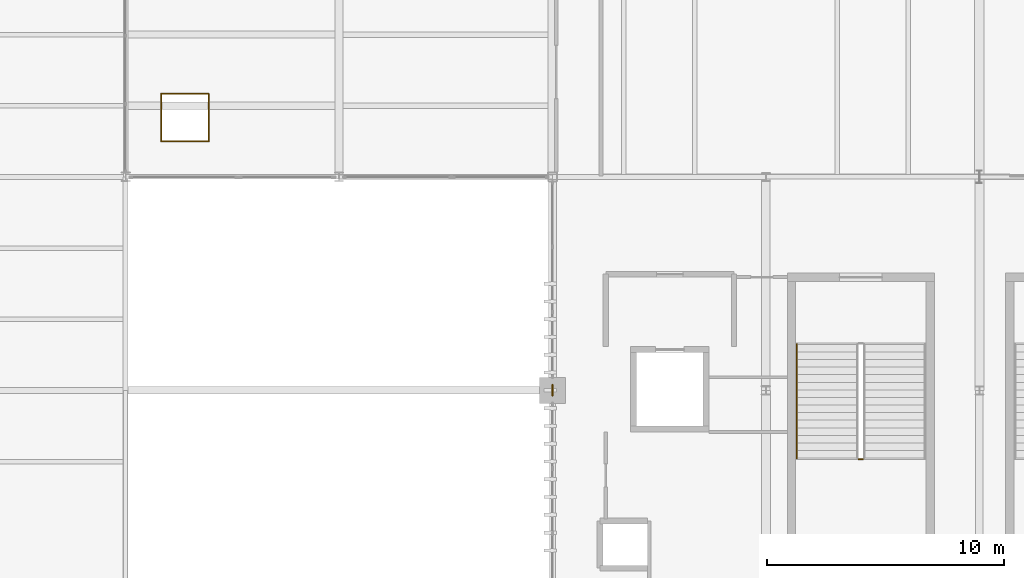
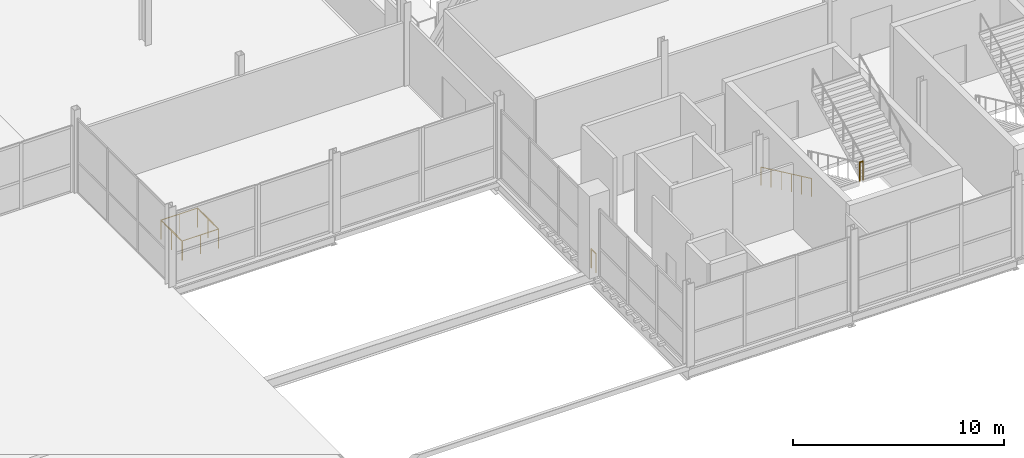
# One storey, part 217 of 224: 7 railings.
"""IFC4 building model written with IfcOpenShell, lengths in metres."""

from ifc_helpers import new_model, si_unit, direction, frame, origin, origin_2d, place, context, subcontext, project, spatial, circle, extrude, material, type_object, element, save


model = new_model("IFC4")

# Units and contexts
model_context = context("Model", 3, precision=1e-05, world=origin(), true_north=direction((0.0, 1.0)))
body_context = subcontext(model_context, "Body", "Model", "MODEL_VIEW")
ifc_project = project(units=[si_unit("LENGTHUNIT", "METRE"), si_unit("AREAUNIT", "SQUARE_METRE"), si_unit("VOLUMEUNIT", "CUBIC_METRE"), si_unit("PLANEANGLEUNIT", "RADIAN"), si_unit("MASSUNIT", "GRAM", prefix="KILO")], contexts=[model_context])

# Site, building, storey
site_placement = place(None, origin())
site = spatial("IfcSite", under=ifc_project, at=site_placement, CompositionType="ELEMENT")
building_placement = place(site_placement, origin())
building = spatial("IfcBuilding", under=site, at=building_placement, Name="Qamarlyn Nura Convention Centre", CompositionType="ELEMENT")
storey_placement = place(building_placement, frame((0.0, 0.0, 10.800048828125)))
storey = spatial("IfcBuildingStorey", under=building, at=storey_placement, Name="L02", CompositionType="ELEMENT", Elevation=10.800048828125)

# Railings
ifc_material = material(Name="Marine Grade 316 stainless steel", Category="steel")
railing_type_1 = type_object("IfcRailingType", Name="GRD-STAIR-112", PredefinedType="BALUSTRADE", material=ifc_material)
railing_1_placement = place(storey_placement, frame((165.909912109375, 6.090087890625, 2.39990234375)))
element("IfcRailing", 1, at=railing_1_placement, inside=storey, type_object=railing_type_1, Name="L02 ST-09 stair guard 2", PredefinedType="BALUSTRADE", context=body_context, shape_type="SweptSolid", body=[
    extrude(circle(Radius=0.02392578125, at=origin_2d()), frame((0.0, 0.0, 1.09619140625), z_axis=(1.0, 0.0, 0.0), x_axis=(0.0, 1.0, 0.0)), (0.0, 0.0, 1.0), 0.18017578125),
    extrude(circle(Radius=0.02099609375, at=origin_2d()), origin(), (0.0, 0.0, 1.0), 1.070068359375),
    extrude(circle(Radius=0.02099609375, at=origin_2d()), frame((0.18017578125, 0.0, 0.0)), (0.0, 0.0, 1.0), 1.070068359375),
])
railing_type_2 = type_object("IfcRailingType", Name="GRD-VOID-112", PredefinedType="BALUSTRADE", material=ifc_material)
railing_2_placement = place(storey_placement, frame((153.0, 8.77001953125, 0.0)))
element("IfcRailing", 2, at=railing_2_placement, inside=storey, type_object=railing_type_2, Name="L02 slab edge balustrade guard 054", PredefinedType="BALUSTRADE", context=body_context, shape_type="SweptSolid", body=[
    extrude(circle(Radius=0.02392578125, at=origin_2d()), frame((0.0, 0.0, 1.09619140625), z_axis=(0.0, 1.0, 0.0), x_axis=(-1.0, 0.0, 0.0)), (0.0, 0.0, 1.0), 0.4599609375),
    extrude(circle(Radius=0.02099609375, at=origin_2d()), origin(), (0.0, 0.0, 1.0), 1.070068359375),
    extrude(circle(Radius=0.02099609375, at=origin_2d()), frame((0.0, 0.4599609375, 0.0)), (0.0, 0.0, 1.0), 1.070068359375),
])
railing_3_placement = place(storey_placement, frame((138.5, 21.5, 0.0)))
element("IfcRailing", 3, at=railing_3_placement, inside=storey, type_object=railing_type_2, Name="L02 slab edge balustrade guard 057", PredefinedType="BALUSTRADE", context=body_context, shape_type="SweptSolid", body=[
    extrude(circle(Radius=0.02392578125, at=origin_2d()), frame((0.0, 0.0, 1.09619140625), z_axis=(-1.0, 0.0, 0.0), x_axis=(0.0, -1.0, 0.0)), (0.0, 0.0, 1.0), 2.0),
    extrude(circle(Radius=0.02099609375, at=origin_2d()), origin(), (0.0, 0.0, 1.0), 1.070068359375),
    extrude(circle(Radius=0.02099609375, at=origin_2d()), frame((-1.0, 0.0, 0.0)), (0.0, 0.0, 1.0), 1.070068359375),
    extrude(circle(Radius=0.02099609375, at=origin_2d()), frame((-2.0, 0.0, 0.0)), (0.0, 0.0, 1.0), 1.070068359375),
])
railing_4_placement = place(storey_placement, frame((136.5, 21.5, 0.0)))
element("IfcRailing", 4, at=railing_4_placement, inside=storey, type_object=railing_type_2, Name="L02 slab edge balustrade guard 058", PredefinedType="BALUSTRADE", context=body_context, shape_type="SweptSolid", body=[
    extrude(circle(Radius=0.02392578125, at=origin_2d()), frame((0.0, 0.0, 1.09619140625), z_axis=(0.0, -1.0, 0.0), x_axis=(1.0, 0.0, 0.0)), (0.0, 0.0, 1.0), 2.0),
    extrude(circle(Radius=0.02099609375, at=origin_2d()), origin(), (0.0, 0.0, 1.0), 1.070068359375),
    extrude(circle(Radius=0.02099609375, at=origin_2d()), frame((0.0, -1.0, 0.0)), (0.0, 0.0, 1.0), 1.070068359375),
    extrude(circle(Radius=0.02099609375, at=origin_2d()), frame((0.0, -2.0, 0.0)), (0.0, 0.0, 1.0), 1.070068359375),
])
railing_5_placement = place(storey_placement, frame((136.5, 19.5, 0.0)))
element("IfcRailing", 5, at=railing_5_placement, inside=storey, type_object=railing_type_2, Name="L02 slab edge balustrade guard 059", PredefinedType="BALUSTRADE", context=body_context, shape_type="SweptSolid", body=[
    extrude(circle(Radius=0.02392578125, at=origin_2d()), frame((0.0, 0.0, 1.09619140625), z_axis=(1.0, 0.0, 0.0), x_axis=(0.0, 1.0, 0.0)), (0.0, 0.0, 1.0), 2.0),
    extrude(circle(Radius=0.02099609375, at=origin_2d()), origin(), (0.0, 0.0, 1.0), 1.070068359375),
    extrude(circle(Radius=0.02099609375, at=origin_2d()), frame((1.0, 0.0, 0.0)), (0.0, 0.0, 1.0), 1.070068359375),
    extrude(circle(Radius=0.02099609375, at=origin_2d()), frame((2.0, 0.0, 0.0)), (0.0, 0.0, 1.0), 1.070068359375),
])
railing_6_placement = place(storey_placement, frame((138.5, 19.5, 0.0)))
element("IfcRailing", 6, at=railing_6_placement, inside=storey, type_object=railing_type_2, Name="L02 slab edge balustrade guard 060", PredefinedType="BALUSTRADE", context=body_context, shape_type="SweptSolid", body=[
    extrude(circle(Radius=0.02392578125, at=origin_2d()), frame((0.0, 0.0, 1.09619140625), z_axis=(0.0, 1.0, 0.0), x_axis=(-1.0, 0.0, 0.0)), (0.0, 0.0, 1.0), 2.0),
    extrude(circle(Radius=0.02099609375, at=origin_2d()), origin(), (0.0, 0.0, 1.0), 1.070068359375),
    extrude(circle(Radius=0.02099609375, at=origin_2d()), frame((0.0, 1.0, 0.0)), (0.0, 0.0, 1.0), 1.070068359375),
    extrude(circle(Radius=0.02099609375, at=origin_2d()), frame((0.0, 2.0, 0.0)), (0.0, 0.0, 1.0), 1.070068359375),
])
railing_type_3 = type_object("IfcRailingType", Name="HRL-STAIR-090", PredefinedType="HANDRAIL", material=ifc_material)
railing_7_placement = place(storey_placement, frame((163.300048828125, 10.93994140625, 0.30224609375)))
element("IfcRailing", 7, at=railing_7_placement, inside=storey, type_object=railing_type_3, Name="L02 ST-09 stair handrail 1", PredefinedType="HANDRAIL", context=body_context, shape_type="SweptSolid", body=[
    extrude(circle(Radius=0.02392578125, at=origin_2d()), frame((0.0, 0.0, 0.88818359375), z_axis=(0.0, -0.90546059521, 0.424430336476), x_axis=(1.0, 0.0, 0.0)), (0.0, 0.0, 1.0), 5.30126953125),
    extrude(circle(Radius=0.02099609375, at=origin_2d()), frame((0.0, 0.0, -0.155029296875)), (0.0, 0.0, 1.0), 1.01708984375),
    extrude(circle(Radius=0.02099609375, at=origin_2d()), frame((0.0, -0.9599609375, 0.294921875)), (0.0, 0.0, 1.0), 1.01708984375),
    extrude(circle(Radius=0.02099609375, at=origin_2d()), frame((0.0, -1.919921875, 0.744873046875)), (0.0, 0.0, 1.0), 1.01708984375),
    extrude(circle(Radius=0.02099609375, at=origin_2d()), frame((0.0, -2.880126953125, 1.195068359375)), (0.0, 0.0, 1.0), 1.01708984375),
    extrude(circle(Radius=0.02099609375, at=origin_2d()), frame((0.0, -3.840087890625, 1.64501953125)), (0.0, 0.0, 1.0), 1.01708984375),
    extrude(circle(Radius=0.02099609375, at=origin_2d()), frame((0.0, -4.800048828125, 2.094970703125)), (0.0, 0.0, 1.0), 1.01708984375),
])

save(model, "model.ifc")
